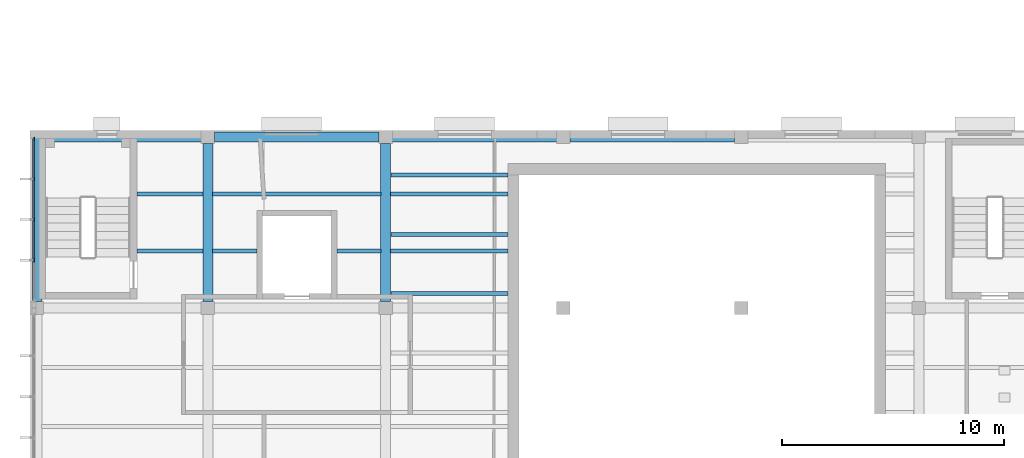
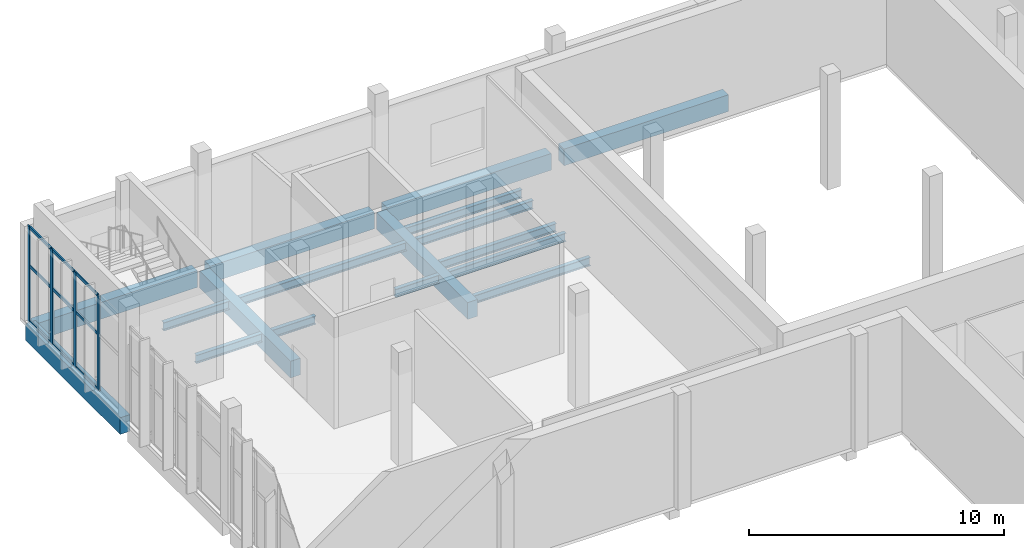
# One storey, part 15 of 87: 17 beams, 13 members, 1 element without a shape of its own.
"""IFC4 building model written with IfcOpenShell, lengths in metres."""

from ifc_helpers import new_model, si_unit, direction, frame, origin, origin_2d, place, context, subcontext, project, spatial, rectangle, i_section, extrude, material, layer, layer_set, material_profile, profile_set, type_object, element, aggregate, save


model = new_model("IFC4")

# Units and contexts
model_context = context("Model", 3, precision=1e-05, world=origin(), true_north=direction((0.0, 1.0)))
body_context = subcontext(model_context, "Body", "Model", "MODEL_VIEW")
ifc_project = project(units=[si_unit("LENGTHUNIT", "METRE"), si_unit("AREAUNIT", "SQUARE_METRE"), si_unit("VOLUMEUNIT", "CUBIC_METRE"), si_unit("PLANEANGLEUNIT", "RADIAN"), si_unit("MASSUNIT", "GRAM", prefix="KILO")], contexts=[model_context])

# Site, building, storey
site_placement = place(None, origin())
site = spatial("IfcSite", under=ifc_project, at=site_placement, CompositionType="ELEMENT")
building_placement = place(site_placement, origin())
building = spatial("IfcBuilding", under=site, at=building_placement, Name="Lunette Opera House", CompositionType="ELEMENT")
storey_placement = place(building_placement, frame((0.0, 0.0, 11.5)))
storey = spatial("IfcBuildingStorey", under=building, at=storey_placement, Name="L02", CompositionType="ELEMENT", Elevation=11.5)

# Curtain wall, members
ifc_material_1 = material(Name="Aluminium", Category="aluminium")
ifc_layer = layer(ifc_material_1, 0.179931640625)
ifc_layer_set = layer_set([ifc_layer], Name="Aluminium")
curtain_wall_type = type_object("IfcCurtainWallType", Name="SUN FACE CURTAIN WALL", PredefinedType="NOTDEFINED", material=ifc_layer_set)
curtain_wall_placement = place(storey_placement, origin())
curtain_wall = element("IfcCurtainWall", 1, at=curtain_wall_placement, inside=storey, type_object=curtain_wall_type, Name="Sun Face Curtain Wall F13 L02", PredefinedType="NOTDEFINED")
ifc_material_2 = material(Name="Aluminium", Category="aluminium")
ifc_material_profile_1 = material_profile(ifc_material_2, rectangle(XDim=0.06005859375, YDim=0.179931640625, at=origin_2d()), Name="MULLION 60 X 180")
ifc_profile_set_1 = profile_set([ifc_material_profile_1], Name="Aluminium")
member_type_1 = type_object("IfcMemberType", Name="MULLION 60 X 180", PredefinedType="MULLION", material=ifc_profile_set_1)
member_1_placement = place(storey_placement, frame((8.181884765625, 111.60498046875, 0.0), z_axis=(0.0, 0.0, 1.0), x_axis=(1.0, 0.0, 0.0)))
member_1 = element("IfcMember", 2, at=member_1_placement, type_object=member_type_1, Name="RW-X2029 mullion 1", PredefinedType="MULLION", context=body_context, shape_type="SweptSolid", body=[
    extrude(rectangle(XDim=0.06005859375, YDim=0.179931640625, at=origin_2d()), origin(), (0.0, 0.0, 1.0), 4.550048828125),
])
member_2_placement = place(storey_placement, frame((8.181884765625, 109.808837890625, 0.0), z_axis=(0.0, 0.0, 1.0), x_axis=(1.0, 0.0, 0.0)))
member_2 = element("IfcMember", 3, at=member_2_placement, type_object=member_type_1, Name="RW-X2029 mullion 2", PredefinedType="MULLION", context=body_context, shape_type="SweptSolid", body=[
    extrude(rectangle(XDim=0.06005859375, YDim=0.179931640625, at=origin_2d()), origin(), (0.0, 0.0, 1.0), 4.550048828125),
])
member_3_placement = place(storey_placement, frame((8.181884765625, 107.982421875, 0.0), z_axis=(0.0, 0.0, 1.0), x_axis=(1.0, 0.0, 0.0)))
member_3 = element("IfcMember", 4, at=member_3_placement, type_object=member_type_1, Name="RW-X2029 mullion 3", PredefinedType="MULLION", context=body_context, shape_type="SweptSolid", body=[
    extrude(rectangle(XDim=0.06005859375, YDim=0.179931640625, at=origin_2d()), origin(), (0.0, 0.0, 1.0), 4.550048828125),
])
member_4_placement = place(storey_placement, frame((8.181884765625, 106.15625, 0.0), z_axis=(0.0, 0.0, 1.0), x_axis=(1.0, 0.0, 0.0)))
member_4 = element("IfcMember", 5, at=member_4_placement, type_object=member_type_1, Name="RW-X2029 mullion 4", PredefinedType="MULLION", context=body_context, shape_type="SweptSolid", body=[
    extrude(rectangle(XDim=0.06005859375, YDim=0.179931640625, at=origin_2d()), origin(), (0.0, 0.0, 1.0), 4.550048828125),
])

# Beams
ifc_material_3 = material(Name="Concrete C35/45", Category="concrete")
ifc_material_profile_2 = material_profile(ifc_material_3, rectangle(XDim=0.449951171875, YDim=0.800048828125, at=origin_2d()), Name="RC BEAM 450X800")
ifc_profile_set_2 = profile_set([ifc_material_profile_2], Name="Concrete C35/45")
beam_type_1 = type_object("IfcBeamType", Name="RC BEAM 450X800", PredefinedType="BEAM", material=ifc_profile_set_2)
beam_1_placement = place(storey_placement, frame((8.300048828125, 104.2900390625, -0.550048828125), z_axis=(0.0, 1.0, 0.0), x_axis=(-1.0, 0.0, 0.0)))
element("IfcBeam", 6, at=beam_1_placement, inside=storey, type_object=beam_type_1, Name="beam-RW-L02-L02-GY05", PredefinedType="BEAM", context=body_context, shape_type="SweptSolid", body=[
    extrude(rectangle(XDim=0.449951171875, YDim=0.800048828125, at=origin_2d()), origin(), (0.0, 0.0, 1.0), 7.409912109375),
])
for number, where, z_axis, x_axis, name in (
    (7, (16.0, 104.2900390625, -0.550048828125), (0.0, 1.0, 0.0), (-1.0, 0.0, 0.0), "beam-RW-L02-L02-GY15"),
    (8, (24.0, 104.2900390625, -0.550048828125), (0.0, 1.0, 0.0), (-1.0, 0.0, 0.0), "beam-RW-L02-L02-GY25"),
):
    element("IfcBeam", number, at=place(storey_placement, frame(where, z_axis=z_axis, x_axis=x_axis)), inside=storey, type_object=beam_type_1, Name=name, PredefinedType="BEAM", context=body_context, shape_type="SweptSolid", body=[
        extrude(rectangle(XDim=0.449951171875, YDim=0.800048828125, at=origin_2d()), origin(), (0.0, 0.0, 1.0), 7.119873046875),
    ])
beam_2_placement = place(storey_placement, frame((8.300048828125, 111.699951171875, -0.550048828125), z_axis=(1.0, 0.0, 0.0), x_axis=(0.0, 1.0, 0.0)))
element("IfcBeam", 9, at=beam_2_placement, inside=storey, type_object=beam_type_1, Name="beam-RW-L02-L02-GX06", PredefinedType="BEAM", context=body_context, shape_type="SweptSolid", body=[
    extrude(rectangle(XDim=0.449951171875, YDim=0.800048828125, at=origin_2d()), origin(), (0.0, 0.0, 1.0), 7.409912109375),
])
for number, where, z_axis, x_axis, name in (
    (10, (16.2900390625, 111.699951171875, -0.550048828125), (1.0, 0.0, 0.0), (0.0, 1.0, 0.0), "beam-RW-L02-L02-GX16"),
    (11, (24.2900390625, 111.699951171875, -0.550048828125), (1.0, 0.0, 0.0), (0.0, 1.0, 0.0), "beam-RW-L02-L02-GX26"),
    (12, (32.2900390625, 111.699951171875, -0.550048828125), (1.0, 0.0, 0.0), (0.0, 1.0, 0.0), "beam-RW-L02-L02-GX36"),
):
    element("IfcBeam", number, at=place(storey_placement, frame(where, z_axis=z_axis, x_axis=x_axis)), inside=storey, type_object=beam_type_1, Name=name, PredefinedType="BEAM", context=body_context, shape_type="SweptSolid", body=[
        extrude(rectangle(XDim=0.449951171875, YDim=0.800048828125, at=origin_2d()), origin(), (0.0, 0.0, 1.0), 7.419921875),
    ])
ifc_material_4 = material(Name="Steel S355", Category="steel")
ifc_material_profile_3 = material_profile(ifc_material_4, i_section(OverallWidth=0.179931640625, OverallDepth=0.39990234375, WebThickness=0.008544921875, FlangeThickness=0.013427734375, FilletRadius=0.02099609375, at=origin_2d()), Name="IPE 400")
ifc_profile_set_3 = profile_set([ifc_material_profile_3], Name="Steel S355")
beam_type_2 = type_object("IfcBeamType", Name="STEEL BEAM IPE 400", PredefinedType="BEAM", material=ifc_profile_set_3)
for number, where, z_axis, x_axis, name in (
    (13, (12.800048828125, 106.56689453125, -0.35009765625), (1.0, 0.0, 0.0), (0.0, 1.0, 0.0), "beam-RW-L02-L02-SX051"),
    (14, (12.800048828125, 109.133056640625, -0.35009765625), (1.0, 0.0, 0.0), (0.0, 1.0, 0.0), "beam-RW-L02-L02-SX052"),
):
    element("IfcBeam", number, at=place(storey_placement, frame(where, z_axis=z_axis, x_axis=x_axis)), inside=storey, type_object=beam_type_2, Name=name, PredefinedType="BEAM", context=body_context, shape_type="SweptSolid", body=[
        extrude(i_section(OverallWidth=0.179931640625, OverallDepth=0.39990234375, WebThickness=0.008544921875, FlangeThickness=0.013427734375, FilletRadius=0.02099609375, at=origin_2d()), origin(), (0.0, 0.0, 1.0), 2.98486328125),
    ])
for number, where, z_axis, x_axis, name in (
    (15, (16.215087890625, 106.56689453125, -0.35009765625), (1.0, 0.0, 0.0), (0.0, 1.0, 0.0), "beam-RW-L02-L02-SX151"),
    (16, (21.800048828125, 106.56689453125, -0.35009765625), (1.0, 0.0, 0.0), (0.0, 1.0, 0.0), "beam-RW-L02-L02-SX151-01"),
):
    element("IfcBeam", number, at=place(storey_placement, frame(where, z_axis=z_axis, x_axis=x_axis)), inside=storey, type_object=beam_type_2, Name=name, PredefinedType="BEAM", context=body_context, shape_type="SweptSolid", body=[
        extrude(i_section(OverallWidth=0.179931640625, OverallDepth=0.39990234375, WebThickness=0.008544921875, FlangeThickness=0.013427734375, FilletRadius=0.02099609375, at=origin_2d()), origin(), (0.0, 0.0, 1.0), 1.98486328125),
    ])
beam_3_placement = place(storey_placement, frame((16.215087890625, 109.133056640625, -0.35009765625), z_axis=(1.0, 0.0, 0.0), x_axis=(0.0, 1.0, 0.0)))
element("IfcBeam", 17, at=beam_3_placement, inside=storey, type_object=beam_type_2, Name="beam-RW-L02-L02-SX152", PredefinedType="BEAM", context=body_context, shape_type="SweptSolid", body=[
    extrude(i_section(OverallWidth=0.179931640625, OverallDepth=0.39990234375, WebThickness=0.008544921875, FlangeThickness=0.013427734375, FilletRadius=0.02099609375, at=origin_2d()), origin(), (0.0, 0.0, 1.0), 7.56982421875),
])
for number, where, z_axis, x_axis, name in (
    (18, (24.215087890625, 106.56689453125, -0.35009765625), (1.0, 0.0, 0.0), (0.0, 1.0, 0.0), "beam-RW-L02-L02-SX251"),
    (19, (24.215087890625, 109.133056640625, -0.35009765625), (1.0, 0.0, 0.0), (0.0, 1.0, 0.0), "beam-RW-L02-L02-SX252"),
):
    element("IfcBeam", number, at=place(storey_placement, frame(where, z_axis=z_axis, x_axis=x_axis)), inside=storey, type_object=beam_type_2, Name=name, PredefinedType="BEAM", context=body_context, shape_type="SweptSolid", body=[
        extrude(i_section(OverallWidth=0.179931640625, OverallDepth=0.39990234375, WebThickness=0.008544921875, FlangeThickness=0.013427734375, FilletRadius=0.02099609375, at=origin_2d()), origin(), (0.0, 0.0, 1.0), 5.284912109375),
    ])
for number, where, z_axis, x_axis, name in (
    (20, (29.5, 104.64990234375, -0.35009765625), (-1.0, 0.0, 0.0), (0.0, -1.0, 0.0), "beam-RW-L02-L02-RJW30905"),
    (21, (29.5, 107.320068359375, -0.35009765625), (-1.0, 0.0, 0.0), (0.0, -1.0, 0.0), "beam-RW-L02-L02-RJW30906"),
    (22, (29.5, 109.989990234375, -0.35009765625), (-1.0, 0.0, 0.0), (0.0, -1.0, 0.0), "beam-RW-L02-L02-RJW30907"),
):
    element("IfcBeam", number, at=place(storey_placement, frame(where, z_axis=z_axis, x_axis=x_axis)), inside=storey, type_object=beam_type_2, Name=name, PredefinedType="BEAM", context=body_context, shape_type="SweptSolid", body=[
        extrude(i_section(OverallWidth=0.179931640625, OverallDepth=0.39990234375, WebThickness=0.008544921875, FlangeThickness=0.013427734375, FilletRadius=0.02099609375, at=origin_2d()), origin(), (0.0, 0.0, 1.0), 5.264892578125),
    ])

# Member
ifc_material_5 = material(Name="Aluminium", Category="aluminium")
ifc_material_profile_4 = material_profile(ifc_material_5, rectangle(XDim=0.06005859375, YDim=0.139892578125, at=origin_2d()), Name="TRANSOM 60 X 140")
ifc_profile_set_4 = profile_set([ifc_material_profile_4], Name="Aluminium")
member_type_2 = type_object("IfcMemberType", Name="TRANSOM 60 X 140", PredefinedType="USERDEFINED", material=ifc_profile_set_4)
member_5_placement = place(storey_placement, frame((8.181884765625, 111.574951171875, 0.030029296875), z_axis=(0.0, -1.0, 0.0), x_axis=(1.0, 0.0, 0.0)))
member_5 = element("IfcMember", 23, at=member_5_placement, type_object=member_type_2, Name="RW-X2029 transom 1.1", ObjectType="TRANSOM", PredefinedType="USERDEFINED", context=body_context, shape_type="SweptSolid", body=[
    extrude(rectangle(XDim=0.06005859375, YDim=0.139892578125, at=origin_2d()), origin(), (0.0, 0.0, 1.0), 1.736083984375),
])

member_6_placement = place(storey_placement, frame((8.181884765625, 111.574951171875, 2.675048828125), z_axis=(0.0, -1.0, 0.0), x_axis=(1.0, 0.0, 0.0)))
member_6 = element("IfcMember", 24, at=member_6_placement, type_object=member_type_2, Name="RW-X2029 transom 1.2", ObjectType="TRANSOM", PredefinedType="USERDEFINED", context=body_context, shape_type="SweptSolid", body=[
    extrude(rectangle(XDim=0.06005859375, YDim=0.139892578125, at=origin_2d()), origin(), (0.0, 0.0, 1.0), 1.736083984375),
])

member_7_placement = place(storey_placement, frame((8.181884765625, 111.574951171875, 4.52001953125), z_axis=(0.0, -1.0, 0.0), x_axis=(1.0, 0.0, 0.0)))
member_7 = element("IfcMember", 25, at=member_7_placement, type_object=member_type_2, Name="RW-X2029 transom 1.3", ObjectType="TRANSOM", PredefinedType="USERDEFINED", context=body_context, shape_type="SweptSolid", body=[
    extrude(rectangle(XDim=0.06005859375, YDim=0.139892578125, at=origin_2d()), origin(), (0.0, 0.0, 1.0), 1.736083984375),
])

member_8_placement = place(storey_placement, frame((8.181884765625, 109.77880859375, 0.030029296875), z_axis=(0.0, -1.0, 0.0), x_axis=(1.0, 0.0, 0.0)))
member_8 = element("IfcMember", 26, at=member_8_placement, type_object=member_type_2, Name="RW-X2029 transom 2.1", ObjectType="TRANSOM", PredefinedType="USERDEFINED", context=body_context, shape_type="SweptSolid", body=[
    extrude(rectangle(XDim=0.06005859375, YDim=0.139892578125, at=origin_2d()), origin(), (0.0, 0.0, 1.0), 1.766357421875),
])

member_9_placement = place(storey_placement, frame((8.181884765625, 109.77880859375, 2.675048828125), z_axis=(0.0, -1.0, 0.0), x_axis=(1.0, 0.0, 0.0)))
member_9 = element("IfcMember", 27, at=member_9_placement, type_object=member_type_2, Name="RW-X2029 transom 2.2", ObjectType="TRANSOM", PredefinedType="USERDEFINED", context=body_context, shape_type="SweptSolid", body=[
    extrude(rectangle(XDim=0.06005859375, YDim=0.139892578125, at=origin_2d()), origin(), (0.0, 0.0, 1.0), 1.766357421875),
])

member_10_placement = place(storey_placement, frame((8.181884765625, 109.77880859375, 4.52001953125), z_axis=(0.0, -1.0, 0.0), x_axis=(1.0, 0.0, 0.0)))
member_10 = element("IfcMember", 28, at=member_10_placement, type_object=member_type_2, Name="RW-X2029 transom 2.3", ObjectType="TRANSOM", PredefinedType="USERDEFINED", context=body_context, shape_type="SweptSolid", body=[
    extrude(rectangle(XDim=0.06005859375, YDim=0.139892578125, at=origin_2d()), origin(), (0.0, 0.0, 1.0), 1.766357421875),
])

member_11_placement = place(storey_placement, frame((8.181884765625, 107.952392578125, 0.030029296875), z_axis=(0.0, -1.0, 0.0), x_axis=(1.0, 0.0, 0.0)))
member_11 = element("IfcMember", 29, at=member_11_placement, type_object=member_type_2, Name="RW-X2029 transom 3.1", ObjectType="TRANSOM", PredefinedType="USERDEFINED", context=body_context, shape_type="SweptSolid", body=[
    extrude(rectangle(XDim=0.06005859375, YDim=0.139892578125, at=origin_2d()), origin(), (0.0, 0.0, 1.0), 1.76611328125),
])

member_12_placement = place(storey_placement, frame((8.181884765625, 107.952392578125, 2.675048828125), z_axis=(0.0, -1.0, 0.0), x_axis=(1.0, 0.0, 0.0)))
member_12 = element("IfcMember", 30, at=member_12_placement, type_object=member_type_2, Name="RW-X2029 transom 3.2", ObjectType="TRANSOM", PredefinedType="USERDEFINED", context=body_context, shape_type="SweptSolid", body=[
    extrude(rectangle(XDim=0.06005859375, YDim=0.139892578125, at=origin_2d()), origin(), (0.0, 0.0, 1.0), 1.76611328125),
])

member_13_placement = place(storey_placement, frame((8.181884765625, 107.952392578125, 4.52001953125), z_axis=(0.0, -1.0, 0.0), x_axis=(1.0, 0.0, 0.0)))
member_13 = element("IfcMember", 31, at=member_13_placement, type_object=member_type_2, Name="RW-X2029 transom 3.3", ObjectType="TRANSOM", PredefinedType="USERDEFINED", context=body_context, shape_type="SweptSolid", body=[
    extrude(rectangle(XDim=0.06005859375, YDim=0.139892578125, at=origin_2d()), origin(), (0.0, 0.0, 1.0), 1.76611328125),
])

aggregate(curtain_wall, [member_1, member_2, member_3, member_4, member_5, member_6, member_7, member_8, member_9, member_10, member_11, member_12, member_13])

save(model, "model.ifc")
